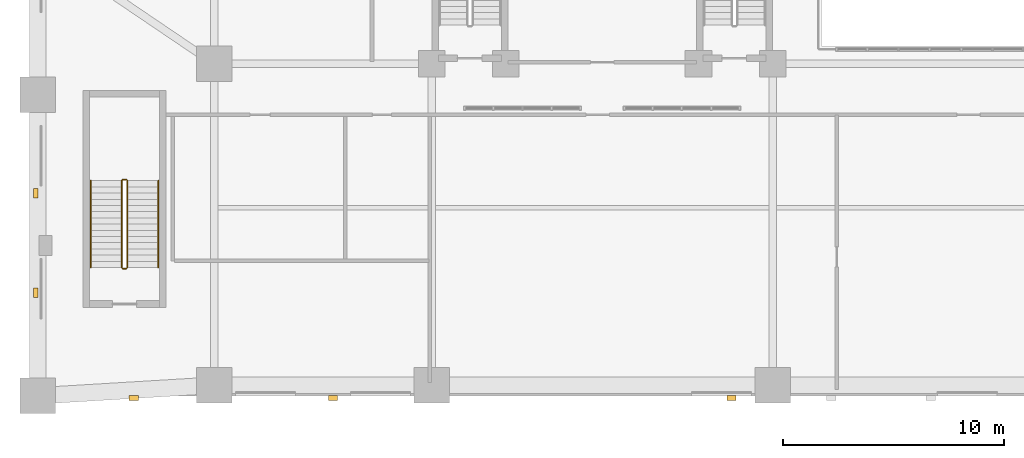
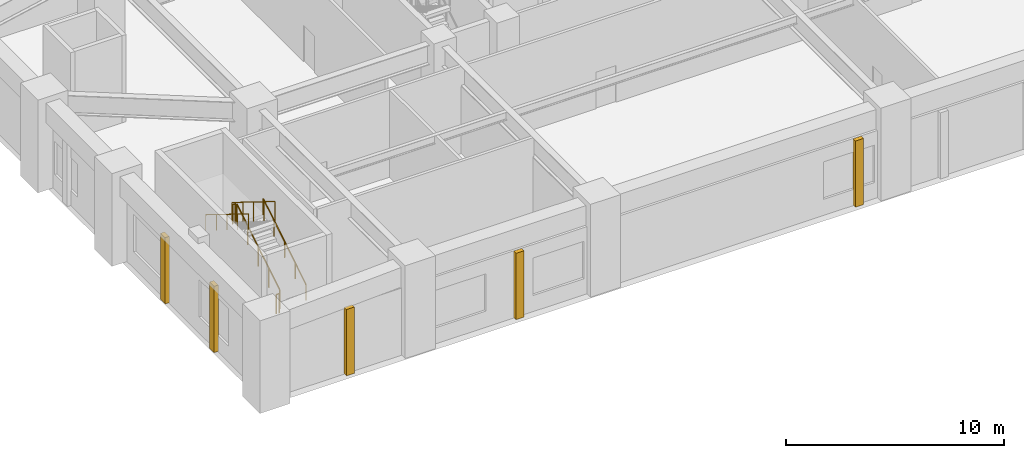
# One storey, part 11 of 14: 6 railings, 5 coverings.
"""IFC4 building model written with IfcOpenShell, lengths in metres."""

from ifc_helpers import new_model, si_unit, derived_unit, direction, frame, origin, origin_2d, place, context, subcontext, project, spatial, rectangle, circle, extrude, material, layer, layer_set, type_object, element, save


model = new_model("IFC4")

# Units and contexts
model_context = context("Model", 3, precision=1e-05, world=origin(), true_north=direction((0.0, 1.0)))
body_context = subcontext(model_context, "Body", "Model", "MODEL_VIEW")
ifc_project = project(units=[si_unit("LENGTHUNIT", "METRE"), si_unit("AREAUNIT", "SQUARE_METRE"), si_unit("VOLUMEUNIT", "CUBIC_METRE"), si_unit("PLANEANGLEUNIT", "RADIAN"), si_unit("MASSUNIT", "GRAM", prefix="KILO"), derived_unit("THERMALTRANSMITTANCEUNIT", [(si_unit("MASSUNIT", "GRAM", prefix="KILO"), 1), (si_unit("TIMEUNIT", "SECOND"), -3), (si_unit("THERMODYNAMICTEMPERATUREUNIT", "KELVIN"), -1)])], contexts=[model_context])

# Site, building, storey
site_placement = place(None, origin())
site = spatial("IfcSite", under=ifc_project, at=site_placement, CompositionType="ELEMENT")
building_placement = place(site_placement, origin())
building = spatial("IfcBuilding", under=site, at=building_placement, Name="Korrvale Station Residences", CompositionType="ELEMENT")
storey_placement = place(building_placement, frame((0.0, 0.0, 6.0)))
storey = spatial("IfcBuildingStorey", under=building, at=storey_placement, Name="L01", CompositionType="ELEMENT", Elevation=6.0)

# Coverings
ifc_material_1 = material(Name="Architectural precast concrete C45/55", Category="concrete")
ifc_layer = layer(ifc_material_1, 0.219970703125, Name="Architectural precast concrete C45/55")
ifc_layer_set = layer_set([ifc_layer], Name="Architectural precast concrete C45/55")
covering_type = type_object("IfcCoveringType", Name="COV-PIER-400", PredefinedType="CLADDING", material=ifc_layer_set)
for number, where, z_axis, x_axis, name in (
    (1, (31.340087890625, -0.090087890625, 0.02490234375), (0.0, 0.0, 1.0), (1.0, 0.0, 0.0), "L01 Architectural Precast Facade Pier 04"),
    (2, (13.340087890625, -0.090087890625, 0.02490234375), (0.0, 0.0, 1.0), (1.0, 0.0, 0.0), "L01 Architectural Precast Facade Pier 05"),
    (3, (4.340087890625, -0.090087890625, 0.02490234375), (0.0, 0.0, 1.0), (1.0, 0.0, 0.0), "L01 Architectural Precast Facade Pier 06"),
    (4, (-0.090087890625, 4.659912109375, 0.02490234375), (0.0, 0.0, 1.0), (0.0, 1.0, 0.0), "L01 Architectural Precast Facade Pier 13"),
    (5, (-0.090087890625, 9.159912109375, 0.02490234375), (0.0, 0.0, 1.0), (0.0, 1.0, 0.0), "L01 Architectural Precast Facade Pier 14"),
):
    element("IfcCovering", number, at=place(storey_placement, frame(where, z_axis=z_axis, x_axis=x_axis)), inside=storey, type_object=covering_type, Name=name, PredefinedType="CLADDING", context=body_context, shape_type="SweptSolid", body=[
        extrude(rectangle(XDim=0.419921875, YDim=0.219970703125, at=origin_2d()), origin(), (0.0, 0.0, 1.0), 3.715087890625),
    ])

# Railings
ifc_material_2 = material(Name="Brushed stainless-steel continuous stair handrail", Category="steel")
railing_type_1 = type_object("IfcRailingType", Name="RLG-SHND-900", PredefinedType="HANDRAIL", material=ifc_material_2)
railing_1_placement = place(storey_placement, frame((5.449951171875, 5.800048828125, 0.17333984375)))
element("IfcRailing", 6, at=railing_1_placement, inside=storey, type_object=railing_type_1, Name="L01 ST-3 stair handrail 1", PredefinedType="HANDRAIL", context=body_context, shape_type="SweptSolid", body=[
    extrude(circle(Radius=0.02392578125, at=origin_2d()), frame((0.0, 0.0, 0.8759765625), z_axis=(0.0, 0.850251603719, 0.526376491091), x_axis=(-1.0, 0.0, 0.0)), (0.0, 0.0, 1.0), 4.6103515625),
    extrude(circle(Radius=0.02099609375, at=origin_2d()), origin(), (0.0, 0.0, 1.0), 0.851806640625),
    extrude(circle(Radius=0.02099609375, at=origin_2d()), frame((0.0, 0.97998046875, 0.606689453125)), (0.0, 0.0, 1.0), 0.851806640625),
    extrude(circle(Radius=0.02099609375, at=origin_2d()), frame((0.0, 1.9599609375, 1.21337890625)), (0.0, 0.0, 1.0), 0.851806640625),
    extrude(circle(Radius=0.02099609375, at=origin_2d()), frame((0.0, 2.93994140625, 1.820068359375)), (0.0, 0.0, 1.0), 0.851806640625),
    extrude(circle(Radius=0.02099609375, at=origin_2d()), frame((0.0, 3.919921875, 2.4267578125)), (0.0, 0.0, 1.0), 0.851806640625),
])
railing_2_placement = place(storey_placement, frame((2.39990234375, 9.719970703125, 2.7734375)))
element("IfcRailing", 7, at=railing_2_placement, inside=storey, type_object=railing_type_1, Name="L01 ST-3 stair handrail 2", PredefinedType="HANDRAIL", context=body_context, shape_type="SweptSolid", body=[
    extrude(circle(Radius=0.02392578125, at=origin_2d()), frame((0.0, 0.0, 0.8759765625), z_axis=(0.0, -0.850275303828, 0.526338206574), x_axis=(1.0, 0.0, 0.0)), (0.0, 0.0, 1.0), 4.610107421875),
    extrude(circle(Radius=0.02099609375, at=origin_2d()), origin(), (0.0, 0.0, 1.0), 0.851806640625),
    extrude(circle(Radius=0.02099609375, at=origin_2d()), frame((0.0, -0.97998046875, 0.606689453125)), (0.0, 0.0, 1.0), 0.851806640625),
    extrude(circle(Radius=0.02099609375, at=origin_2d()), frame((0.0, -1.9599609375, 1.21337890625)), (0.0, 0.0, 1.0), 0.851806640625),
    extrude(circle(Radius=0.02099609375, at=origin_2d()), frame((0.0, -2.93994140625, 1.81982421875)), (0.0, 0.0, 1.0), 0.851806640625),
    extrude(circle(Radius=0.02099609375, at=origin_2d()), frame((0.0, -3.919921875, 2.426513671875)), (0.0, 0.0, 1.0), 0.851806640625),
])
ifc_material_3 = material(Name="Galvanised painted tubular steel stair guard", Category="steel")
railing_type_2 = type_object("IfcRailingType", Name="RLG-STR-1100", PredefinedType="GUARDRAIL", material=ifc_material_3)
railing_3_placement = place(storey_placement, frame((4.050048828125, 5.800048828125, 0.17333984375)))
element("IfcRailing", 8, at=railing_3_placement, inside=storey, type_object=railing_type_2, Name="L01 ST-3 stair guard 1", PredefinedType="GUARDRAIL", context=body_context, shape_type="SweptSolid", body=[
    extrude(circle(Radius=0.02392578125, at=origin_2d()), frame((0.0, 0.0, 1.076171875), z_axis=(0.0, 0.850251603719, 0.526376491091), x_axis=(-1.0, 0.0, 0.0)), (0.0, 0.0, 1.0), 4.6103515625),
    extrude(circle(Radius=0.02099609375, at=origin_2d()), origin(), (0.0, 0.0, 1.0), 1.052001953125),
    extrude(circle(Radius=0.02099609375, at=origin_2d()), frame((0.0, 0.97998046875, 0.606689453125)), (0.0, 0.0, 1.0), 1.052001953125),
    extrude(circle(Radius=0.02099609375, at=origin_2d()), frame((0.0, 1.9599609375, 1.21337890625)), (0.0, 0.0, 1.0), 1.052001953125),
    extrude(circle(Radius=0.02099609375, at=origin_2d()), frame((0.0, 2.93994140625, 1.820068359375)), (0.0, 0.0, 1.0), 1.052001953125),
    extrude(circle(Radius=0.02099609375, at=origin_2d()), frame((0.0, 3.919921875, 2.4267578125)), (0.0, 0.0, 1.0), 1.052001953125),
])
railing_4_placement = place(storey_placement, frame((4.0, 9.77001953125, 2.60009765625)))
element("IfcRailing", 9, at=railing_4_placement, inside=storey, type_object=railing_type_2, Name="L01 ST-3 stair guard 2", PredefinedType="GUARDRAIL", context=body_context, shape_type="SweptSolid", body=[
    extrude(circle(Radius=0.02392578125, at=origin_2d()), frame((0.0, 0.0, 1.076171875), z_axis=(-1.0, 0.0, 0.0), x_axis=(0.0, -1.0, 0.0)), (0.0, 0.0, 1.0), 0.14990234375),
    extrude(circle(Radius=0.02099609375, at=origin_2d()), origin(), (0.0, 0.0, 1.0), 1.052001953125),
    extrude(circle(Radius=0.02099609375, at=origin_2d()), frame((-0.14990234375, 0.0, 0.0)), (0.0, 0.0, 1.0), 1.052001953125),
])
railing_5_placement = place(storey_placement, frame((3.800048828125, 9.719970703125, 2.7734375)))
element("IfcRailing", 10, at=railing_5_placement, inside=storey, type_object=railing_type_2, Name="L01 ST-3 stair guard 3", PredefinedType="GUARDRAIL", context=body_context, shape_type="SweptSolid", body=[
    extrude(circle(Radius=0.02392578125, at=origin_2d()), frame((0.0, 0.0, 1.076171875), z_axis=(0.0, -0.850275303828, 0.526338206574), x_axis=(1.0, 0.0, 0.0)), (0.0, 0.0, 1.0), 4.610107421875),
    extrude(circle(Radius=0.02099609375, at=origin_2d()), origin(), (0.0, 0.0, 1.0), 1.052001953125),
    extrude(circle(Radius=0.02099609375, at=origin_2d()), frame((0.0, -0.97998046875, 0.606689453125)), (0.0, 0.0, 1.0), 1.052001953125),
    extrude(circle(Radius=0.02099609375, at=origin_2d()), frame((0.0, -1.9599609375, 1.21337890625)), (0.0, 0.0, 1.0), 1.052001953125),
    extrude(circle(Radius=0.02099609375, at=origin_2d()), frame((0.0, -2.93994140625, 1.81982421875)), (0.0, 0.0, 1.0), 1.052001953125),
    extrude(circle(Radius=0.02099609375, at=origin_2d()), frame((0.0, -3.919921875, 2.426513671875)), (0.0, 0.0, 1.0), 1.052001953125),
])
railing_6_placement = place(storey_placement, frame((4.0, 5.75, 0.0)))
element("IfcRailing", 11, at=railing_6_placement, inside=storey, type_object=railing_type_2, Name="L01 ST-3 stair guard 4", PredefinedType="GUARDRAIL", context=body_context, shape_type="SweptSolid", body=[
    extrude(circle(Radius=0.02392578125, at=origin_2d()), frame((0.0, 0.0, 1.076171875), z_axis=(-1.0, 0.0, 0.0), x_axis=(0.0, -1.0, 0.0)), (0.0, 0.0, 1.0), 0.14990234375),
    extrude(circle(Radius=0.02099609375, at=origin_2d()), origin(), (0.0, 0.0, 1.0), 1.052001953125),
    extrude(circle(Radius=0.02099609375, at=origin_2d()), frame((-0.14990234375, 0.0, 0.0)), (0.0, 0.0, 1.0), 1.052001953125),
])

save(model, "model.ifc")
